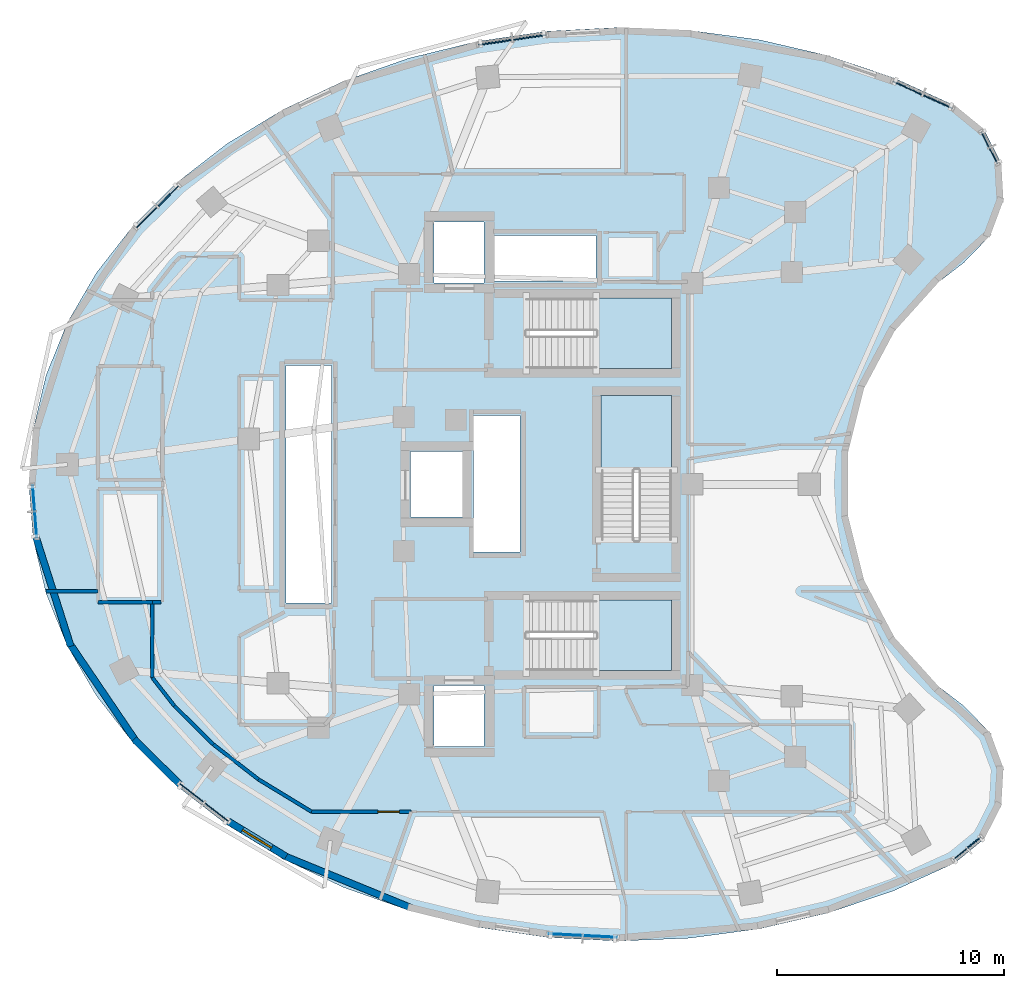
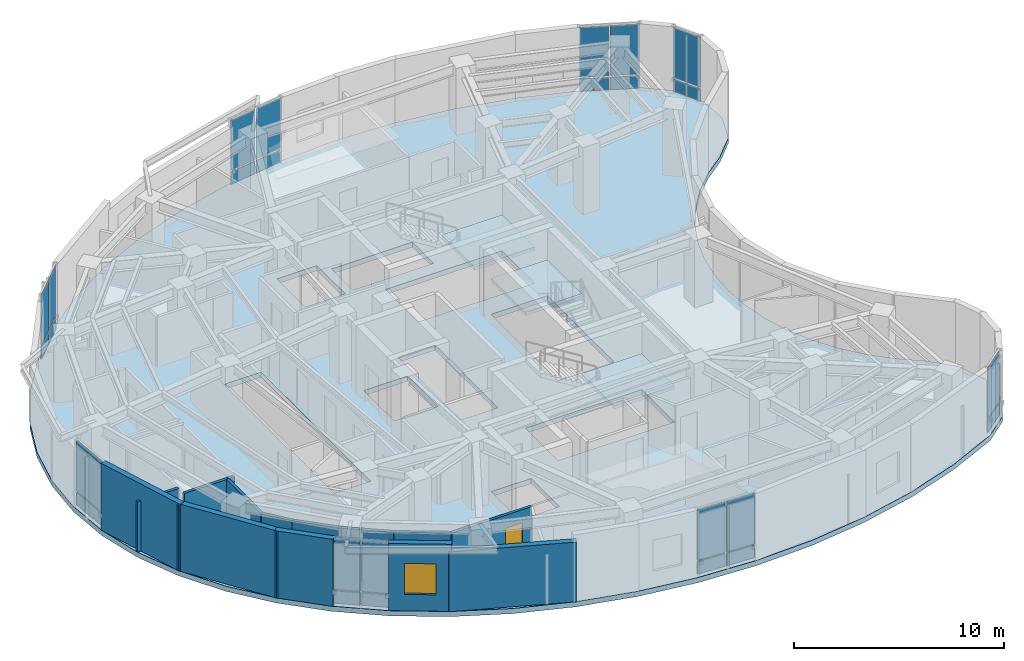
# One storey, part 6 of 13: 26 plates, 14 walls, 4 slabs, 1 door, 1 window, 2 openings, 11 elements without a shape of their own.
"""IFC4 building model written with IfcOpenShell, lengths in metres."""

from ifc_helpers import new_model, si_unit, direction, frame, frame_2d, origin, origin_2d, place, context, subcontext, project, spatial, polyline, rectangle, outline, extrude, material, layer, layer_set, type_object, element, fill, aggregate, save


model = new_model("IFC4")

# Units and contexts
model_context = context("Model", 3, precision=1e-05, world=origin(), true_north=direction((0.0, 1.0)))
body_context = subcontext(model_context, "Body", "Model", "MODEL_VIEW")
ifc_project = project(units=[si_unit("LENGTHUNIT", "METRE"), si_unit("AREAUNIT", "SQUARE_METRE"), si_unit("VOLUMEUNIT", "CUBIC_METRE"), si_unit("PLANEANGLEUNIT", "RADIAN"), si_unit("MASSUNIT", "GRAM", prefix="KILO")], contexts=[model_context])

# Site, building, storey
site_placement = place(None, origin())
site = spatial("IfcSite", under=ifc_project, at=site_placement, CompositionType="ELEMENT")
building_placement = place(site_placement, origin())
building = spatial("IfcBuilding", under=site, at=building_placement, Name="Korentha Bioscience Tower", CompositionType="ELEMENT")
storey_placement = place(building_placement, frame((0.0, 0.0, 200.39990234375)))
storey = spatial("IfcBuildingStorey", under=building, at=storey_placement, Name="L46", CompositionType="ELEMENT", Elevation=200.39990234375)

# Curtain wall, plates
ifc_material_1 = material(Name="Thermally Broken Aluminium Frame", Category="aluminium")
ifc_layer_1 = layer(ifc_material_1, 0.219970703125, Name="Thermally Broken Aluminium Frame")
ifc_layer_set_1 = layer_set([ifc_layer_1], Name="Thermally Broken Aluminium Frame (CW-T2)")
curtain_wall_type = type_object("IfcCurtainWallType", Name="Solar-Screened Lab Unitised Curtain Wall CW-T2", PredefinedType="USERDEFINED", material=ifc_layer_set_1)
curtain_wall_1_placement = place(storey_placement, origin())
curtain_wall_1 = element("IfcCurtainWall", 1, at=curtain_wall_1_placement, inside=storey, type_object=curtain_wall_type, Name="L46 Curtain Wall 01", ObjectType="UNITISED", PredefinedType="USERDEFINED")
ifc_material_2 = material(Name="Triple-Glazed Low-E Insulated Glass", Category="glass")
ifc_layer_2 = layer(ifc_material_2, 0.0439453125, Name="Triple-Glazed Low-E Insulated Glass")
ifc_layer_set_2 = layer_set([ifc_layer_2], Name="Triple-Glazed Low-E Insulated Glass (GL-44)")
plate_type = type_object("IfcPlateType", Name="Glazed Panel 44mm", PredefinedType="CURTAIN_PANEL", material=ifc_layer_set_2)
plate_1_placement = place(storey_placement, frame((48.370849609375, 43.83203125, 0.08984375), z_axis=(0.0, 0.0, 1.0), x_axis=(-0.910520215031, 0.413464554733, 0.0)))
plate_1 = element("IfcPlate", 2, at=plate_1_placement, type_object=plate_type, Name="CW-L46-01 Bay 1 Glazed Panel 1", PredefinedType="CURTAIN_PANEL", context=body_context, shape_type="SweptSolid", body=[
    extrude(rectangle(XDim=1.390380859375, YDim=0.0439453125, at=origin_2d()), origin(), (0.0, 0.0, 1.0), 0.715087890625),
])
plate_2_placement = place(storey_placement, frame((48.370849609375, 43.83203125, 0.89501953125), z_axis=(0.0, 0.0, 1.0), x_axis=(-0.910520215031, 0.413464554733, 0.0)))
plate_2 = element("IfcPlate", 3, at=plate_2_placement, type_object=plate_type, Name="CW-L46-01 Bay 1 Glazed Panel 2", PredefinedType="CURTAIN_PANEL", context=body_context, shape_type="SweptSolid", body=[
    extrude(rectangle(XDim=1.390380859375, YDim=0.0439453125, at=origin_2d()), origin(), (0.0, 0.0, 1.0), 2.9150390625),
])
plate_3_placement = place(storey_placement, frame((47.02294921875, 44.444091796875, 0.08984375), z_axis=(0.0, 0.0, 1.0), x_axis=(-0.910520215031, 0.413464554733, 0.0)))
plate_3 = element("IfcPlate", 4, at=plate_3_placement, type_object=plate_type, Name="CW-L46-01 Bay 2 Glazed Panel 1", PredefinedType="CURTAIN_PANEL", context=body_context, shape_type="SweptSolid", body=[
    extrude(rectangle(XDim=1.390380859375, YDim=0.0439453125, at=origin_2d()), origin(), (0.0, 0.0, 1.0), 0.715087890625),
])
plate_4_placement = place(storey_placement, frame((47.02294921875, 44.444091796875, 0.89501953125), z_axis=(0.0, 0.0, 1.0), x_axis=(-0.910520215031, 0.413464554733, 0.0)))
plate_4 = element("IfcPlate", 5, at=plate_4_placement, type_object=plate_type, Name="CW-L46-01 Bay 2 Glazed Panel 2", PredefinedType="CURTAIN_PANEL", context=body_context, shape_type="SweptSolid", body=[
    extrude(rectangle(XDim=1.390380859375, YDim=0.0439453125, at=origin_2d()), origin(), (0.0, 0.0, 1.0), 2.9150390625),
])
aggregate(curtain_wall_1, [plate_1, plate_2, plate_3, plate_4])

curtain_wall_2_placement = place(storey_placement, origin())
curtain_wall_2 = element("IfcCurtainWall", 6, at=curtain_wall_2_placement, inside=storey, type_object=curtain_wall_type, Name="L46 Curtain Wall 07", ObjectType="UNITISED", PredefinedType="USERDEFINED")
plate_5_placement = place(storey_placement, frame((30.4111328125, 46.671142578125, 0.08984375), z_axis=(0.0, 0.0, 1.0), x_axis=(-0.989449480287, -0.144878314317, 0.0)))
plate_5 = element("IfcPlate", 7, at=plate_5_placement, type_object=plate_type, Name="CW-L46-07 Bay 1 Glazed Panel 1", PredefinedType="CURTAIN_PANEL", context=body_context, shape_type="SweptSolid", body=[
    extrude(rectangle(XDim=1.46435546875, YDim=0.0439453125, at=origin_2d()), origin(), (0.0, 0.0, 1.0), 0.715087890625),
])
plate_6_placement = place(storey_placement, frame((30.4111328125, 46.671142578125, 0.89501953125), z_axis=(0.0, 0.0, 1.0), x_axis=(-0.989449480287, -0.144878314317, 0.0)))
plate_6 = element("IfcPlate", 8, at=plate_6_placement, type_object=plate_type, Name="CW-L46-07 Bay 1 Glazed Panel 2", PredefinedType="CURTAIN_PANEL", context=body_context, shape_type="SweptSolid", body=[
    extrude(rectangle(XDim=1.46435546875, YDim=0.0439453125, at=origin_2d()), origin(), (0.0, 0.0, 1.0), 2.9150390625),
])
plate_7_placement = place(storey_placement, frame((28.873291015625, 46.44580078125, 0.08984375), z_axis=(0.0, 0.0, 1.0), x_axis=(-0.989449480287, -0.144878314317, 0.0)))
plate_7 = element("IfcPlate", 9, at=plate_7_placement, type_object=plate_type, Name="CW-L46-07 Bay 2 Glazed Panel 1", PredefinedType="CURTAIN_PANEL", context=body_context, shape_type="SweptSolid", body=[
    extrude(rectangle(XDim=1.46435546875, YDim=0.0439453125, at=origin_2d()), origin(), (0.0, 0.0, 1.0), 0.715087890625),
])
plate_8_placement = place(storey_placement, frame((28.873291015625, 46.44580078125, 0.89501953125), z_axis=(0.0, 0.0, 1.0), x_axis=(-0.989449480287, -0.144878314317, 0.0)))
plate_8 = element("IfcPlate", 10, at=plate_8_placement, type_object=plate_type, Name="CW-L46-07 Bay 2 Glazed Panel 2", PredefinedType="CURTAIN_PANEL", context=body_context, shape_type="SweptSolid", body=[
    extrude(rectangle(XDim=1.46435546875, YDim=0.0439453125, at=origin_2d()), origin(), (0.0, 0.0, 1.0), 2.9150390625),
])
aggregate(curtain_wall_2, [plate_5, plate_6, plate_7, plate_8])

curtain_wall_3_placement = place(storey_placement, origin())
curtain_wall_3 = element("IfcCurtainWall", 11, at=curtain_wall_3_placement, inside=storey, type_object=curtain_wall_type, Name="L46 Curtain Wall 13", ObjectType="UNITISED", PredefinedType="USERDEFINED")
plate_9_placement = place(storey_placement, frame((14.4990234375, 39.687255859375, 0.08984375), z_axis=(0.0, 0.0, 1.0), x_axis=(-0.711177694756, -0.703012294688, 0.0)))
plate_9 = element("IfcPlate", 12, at=plate_9_placement, type_object=plate_type, Name="CW-L46-13 Bay 1 Glazed Panel 1", PredefinedType="CURTAIN_PANEL", context=body_context, shape_type="SweptSolid", body=[
    extrude(rectangle(XDim=1.260986328125, YDim=0.0439453125, at=origin_2d()), origin(), (0.0, 0.0, 1.0), 0.715087890625),
])
plate_10_placement = place(storey_placement, frame((14.4990234375, 39.687255859375, 0.89501953125), z_axis=(0.0, 0.0, 1.0), x_axis=(-0.711177694756, -0.703012294688, 0.0)))
plate_10 = element("IfcPlate", 13, at=plate_10_placement, type_object=plate_type, Name="CW-L46-13 Bay 1 Glazed Panel 2", PredefinedType="CURTAIN_PANEL", context=body_context, shape_type="SweptSolid", body=[
    extrude(rectangle(XDim=1.260986328125, YDim=0.0439453125, at=origin_2d()), origin(), (0.0, 0.0, 1.0), 2.9150390625),
])
plate_11_placement = place(storey_placement, frame((13.538330078125, 38.737548828125, 0.08984375), z_axis=(0.0, 0.0, 1.0), x_axis=(-0.711177694756, -0.703012294688, 0.0)))
plate_11 = element("IfcPlate", 14, at=plate_11_placement, type_object=plate_type, Name="CW-L46-13 Bay 2 Glazed Panel 1", PredefinedType="CURTAIN_PANEL", context=body_context, shape_type="SweptSolid", body=[
    extrude(rectangle(XDim=1.260986328125, YDim=0.0439453125, at=origin_2d()), origin(), (0.0, 0.0, 1.0), 0.715087890625),
])
plate_12_placement = place(storey_placement, frame((13.538330078125, 38.737548828125, 0.89501953125), z_axis=(0.0, 0.0, 1.0), x_axis=(-0.711177694756, -0.703012294688, 0.0)))
plate_12 = element("IfcPlate", 15, at=plate_12_placement, type_object=plate_type, Name="CW-L46-13 Bay 2 Glazed Panel 2", PredefinedType="CURTAIN_PANEL", context=body_context, shape_type="SweptSolid", body=[
    extrude(rectangle(XDim=1.260986328125, YDim=0.0439453125, at=origin_2d()), origin(), (0.0, 0.0, 1.0), 2.9150390625),
])
aggregate(curtain_wall_3, [plate_9, plate_10, plate_11, plate_12])

curtain_wall_4_placement = place(storey_placement, origin())
curtain_wall_4 = element("IfcCurtainWall", 16, at=curtain_wall_4_placement, inside=storey, type_object=curtain_wall_type, Name="L46 Curtain Wall 19", ObjectType="UNITISED", PredefinedType="USERDEFINED")
plate_13_placement = place(storey_placement, frame((8.61279296875, 25.806640625, 0.08984375), z_axis=(0.0, 0.0, 1.0), x_axis=(0.077987717013, -0.996954319914, 0.0)))
plate_13 = element("IfcPlate", 17, at=plate_13_placement, type_object=plate_type, Name="CW-L46-19 Bay 1 Glazed Panel 1", PredefinedType="CURTAIN_PANEL", context=body_context, shape_type="SweptSolid", body=[
    extrude(rectangle(XDim=2.319091796875, YDim=0.0439453125, at=origin_2d()), origin(), (0.0, 0.0, 1.0), 0.715087890625),
])
plate_14_placement = place(storey_placement, frame((8.61279296875, 25.806640625, 0.89501953125), z_axis=(0.0, 0.0, 1.0), x_axis=(0.077987717013, -0.996954319914, 0.0)))
plate_14 = element("IfcPlate", 18, at=plate_14_placement, type_object=plate_type, Name="CW-L46-19 Bay 1 Glazed Panel 2", PredefinedType="CURTAIN_PANEL", context=body_context, shape_type="SweptSolid", body=[
    extrude(rectangle(XDim=2.319091796875, YDim=0.0439453125, at=origin_2d()), origin(), (0.0, 0.0, 1.0), 2.9150390625),
])
aggregate(curtain_wall_4, [plate_13, plate_14])

curtain_wall_5_placement = place(storey_placement, origin())
curtain_wall_5 = element("IfcCurtainWall", 19, at=curtain_wall_5_placement, inside=storey, type_object=curtain_wall_type, Name="L46 Curtain Wall 25", ObjectType="UNITISED", PredefinedType="USERDEFINED")
plate_15_placement = place(storey_placement, frame((15.523681640625, 13.41650390625, 0.08984375), z_axis=(0.0, 0.0, 1.0), x_axis=(0.790346099854, -0.612660625833, 0.0)))
plate_15 = element("IfcPlate", 20, at=plate_15_placement, type_object=plate_type, Name="CW-L46-25 Bay 1 Glazed Panel 1", PredefinedType="CURTAIN_PANEL", context=body_context, shape_type="SweptSolid", body=[
    extrude(rectangle(XDim=1.3046875, YDim=0.0439453125, at=origin_2d()), origin(), (0.0, 0.0, 1.0), 0.715087890625),
])
plate_16_placement = place(storey_placement, frame((15.523681640625, 13.41650390625, 0.89501953125), z_axis=(0.0, 0.0, 1.0), x_axis=(0.790346099854, -0.612660625833, 0.0)))
plate_16 = element("IfcPlate", 21, at=plate_16_placement, type_object=plate_type, Name="CW-L46-25 Bay 1 Glazed Panel 2", PredefinedType="CURTAIN_PANEL", context=body_context, shape_type="SweptSolid", body=[
    extrude(rectangle(XDim=1.3046875, YDim=0.0439453125, at=origin_2d()), origin(), (0.0, 0.0, 1.0), 2.9150390625),
])
plate_17_placement = place(storey_placement, frame((16.6259765625, 12.562255859375, 0.08984375), z_axis=(0.0, 0.0, 1.0), x_axis=(0.790346099854, -0.612660625833, 0.0)))
plate_17 = element("IfcPlate", 22, at=plate_17_placement, type_object=plate_type, Name="CW-L46-25 Bay 2 Glazed Panel 1", PredefinedType="CURTAIN_PANEL", context=body_context, shape_type="SweptSolid", body=[
    extrude(rectangle(XDim=1.3046875, YDim=0.0439453125, at=origin_2d()), origin(), (0.0, 0.0, 1.0), 0.715087890625),
])
plate_18_placement = place(storey_placement, frame((16.6259765625, 12.562255859375, 0.89501953125), z_axis=(0.0, 0.0, 1.0), x_axis=(0.790346099854, -0.612660625833, 0.0)))
plate_18 = element("IfcPlate", 23, at=plate_18_placement, type_object=plate_type, Name="CW-L46-25 Bay 2 Glazed Panel 2", PredefinedType="CURTAIN_PANEL", context=body_context, shape_type="SweptSolid", body=[
    extrude(rectangle(XDim=1.3046875, YDim=0.0439453125, at=origin_2d()), origin(), (0.0, 0.0, 1.0), 2.9150390625),
])
aggregate(curtain_wall_5, [plate_15, plate_16, plate_17, plate_18])

curtain_wall_6_placement = place(storey_placement, origin())
curtain_wall_6 = element("IfcCurtainWall", 24, at=curtain_wall_6_placement, inside=storey, type_object=curtain_wall_type, Name="L46 Curtain Wall 31", ObjectType="UNITISED", PredefinedType="USERDEFINED")
plate_19_placement = place(storey_placement, frame((31.956298828125, 7.176025390625, 0.08984375), z_axis=(0.0, 0.0, 1.0), x_axis=(0.998634603964, -0.052239140168, 0.0)))
plate_19 = element("IfcPlate", 25, at=plate_19_placement, type_object=plate_type, Name="CW-L46-31 Bay 1 Glazed Panel 1", PredefinedType="CURTAIN_PANEL", context=body_context, shape_type="SweptSolid", body=[
    extrude(rectangle(XDim=1.473876953125, YDim=0.0439453125, at=origin_2d()), origin(), (0.0, 0.0, 1.0), 0.715087890625),
])
plate_20_placement = place(storey_placement, frame((31.956298828125, 7.176025390625, 0.89501953125), z_axis=(0.0, 0.0, 1.0), x_axis=(0.998634603964, -0.052239140168, 0.0)))
plate_20 = element("IfcPlate", 26, at=plate_20_placement, type_object=plate_type, Name="CW-L46-31 Bay 1 Glazed Panel 2", PredefinedType="CURTAIN_PANEL", context=body_context, shape_type="SweptSolid", body=[
    extrude(rectangle(XDim=1.473876953125, YDim=0.0439453125, at=origin_2d()), origin(), (0.0, 0.0, 1.0), 2.9150390625),
])
plate_21_placement = place(storey_placement, frame((33.51806640625, 7.09423828125, 0.08984375), z_axis=(0.0, 0.0, 1.0), x_axis=(0.998634603964, -0.052239140168, 0.0)))
plate_21 = element("IfcPlate", 27, at=plate_21_placement, type_object=plate_type, Name="CW-L46-31 Bay 2 Glazed Panel 1", PredefinedType="CURTAIN_PANEL", context=body_context, shape_type="SweptSolid", body=[
    extrude(rectangle(XDim=1.473876953125, YDim=0.0439453125, at=origin_2d()), origin(), (0.0, 0.0, 1.0), 0.715087890625),
])
plate_22_placement = place(storey_placement, frame((33.51806640625, 7.09423828125, 0.89501953125), z_axis=(0.0, 0.0, 1.0), x_axis=(0.998634603964, -0.052239140168, 0.0)))
plate_22 = element("IfcPlate", 28, at=plate_22_placement, type_object=plate_type, Name="CW-L46-31 Bay 2 Glazed Panel 2", PredefinedType="CURTAIN_PANEL", context=body_context, shape_type="SweptSolid", body=[
    extrude(rectangle(XDim=1.473876953125, YDim=0.0439453125, at=origin_2d()), origin(), (0.0, 0.0, 1.0), 2.9150390625),
])
aggregate(curtain_wall_6, [plate_19, plate_20, plate_21, plate_22])

curtain_wall_7_placement = place(storey_placement, origin())
curtain_wall_7 = element("IfcCurtainWall", 29, at=curtain_wall_7_placement, inside=storey, type_object=curtain_wall_type, Name="L46 Curtain Wall 37", ObjectType="UNITISED", PredefinedType="USERDEFINED")
plate_23_placement = place(storey_placement, frame((49.65478515625, 10.978271484375, 0.08984375), z_axis=(0.0, 0.0, 1.0), x_axis=(0.774088224596, 0.633077736571, 0.0)))
plate_23 = element("IfcPlate", 30, at=plate_23_placement, type_object=plate_type, Name="CW-L46-37 Bay 1 Glazed Panel 1", PredefinedType="CURTAIN_PANEL", context=body_context, shape_type="SweptSolid", body=[
    extrude(rectangle(XDim=1.555419921875, YDim=0.0439453125, at=origin_2d()), origin(), (0.0, 0.0, 1.0), 0.715087890625),
])
plate_24_placement = place(storey_placement, frame((49.65478515625, 10.978271484375, 0.89501953125), z_axis=(0.0, 0.0, 1.0), x_axis=(0.774088224596, 0.633077736571, 0.0)))
plate_24 = element("IfcPlate", 31, at=plate_24_placement, type_object=plate_type, Name="CW-L46-37 Bay 1 Glazed Panel 2", PredefinedType="CURTAIN_PANEL", context=body_context, shape_type="SweptSolid", body=[
    extrude(rectangle(XDim=1.555419921875, YDim=0.0439453125, at=origin_2d()), origin(), (0.0, 0.0, 1.0), 2.9150390625),
])
aggregate(curtain_wall_7, [plate_23, plate_24])

curtain_wall_8_placement = place(storey_placement, origin())
curtain_wall_8 = element("IfcCurtainWall", 32, at=curtain_wall_8_placement, inside=storey, type_object=curtain_wall_type, Name="L46 Curtain Wall 61", ObjectType="UNITISED", PredefinedType="USERDEFINED")
plate_25_placement = place(storey_placement, frame((50.6298828125, 41.8115234375, 0.08984375), z_axis=(0.0, 0.0, 1.0), x_axis=(-0.454115695623, 0.89094272262, 0.0)))
plate_25 = element("IfcPlate", 33, at=plate_25_placement, type_object=plate_type, Name="CW-L46-61 Bay 1 Glazed Panel 1", PredefinedType="CURTAIN_PANEL", context=body_context, shape_type="SweptSolid", body=[
    extrude(rectangle(XDim=1.55517578125, YDim=0.0439453125, at=origin_2d()), origin(), (0.0, 0.0, 1.0), 0.715087890625),
])
plate_26_placement = place(storey_placement, frame((50.6298828125, 41.8115234375, 0.89501953125), z_axis=(0.0, 0.0, 1.0), x_axis=(-0.454115695623, 0.89094272262, 0.0)))
plate_26 = element("IfcPlate", 34, at=plate_26_placement, type_object=plate_type, Name="CW-L46-61 Bay 1 Glazed Panel 2", PredefinedType="CURTAIN_PANEL", context=body_context, shape_type="SweptSolid", body=[
    extrude(rectangle(XDim=1.55517578125, YDim=0.0439453125, at=origin_2d()), origin(), (0.0, 0.0, 1.0), 2.9150390625),
])
aggregate(curtain_wall_8, [plate_25, plate_26])

# Slab
ifc_material_3 = material(Name="Concrete C50", Category="concrete")
ifc_layer_3 = layer(ifc_material_3, 0.300048828125, Name="Concrete C50")
ifc_layer_set_3 = layer_set([ifc_layer_3], Name="Concrete C50 (SL-L300)")
slab_type_1 = type_object("IfcSlabType", Name="Laboratory Vibration-Controlled Slab 300", PredefinedType="FLOOR", material=ifc_layer_set_3)
slab_1_placement = place(storey_placement, frame((0.0, 0.0, -0.2998046875)))
element("IfcSlab", 35, at=slab_1_placement, inside=storey, type_object=slab_type_1, Name="L46 Tower Structural Floor Slab", PredefinedType="FLOOR", context=body_context, shape_type="SweptSolid", body=[
    extrude(outline(polyline([(49.115478515625, 43.669677734375), (46.41064453125, 44.89794921875), (43.533935546875, 45.867919921875), (40.526611328125, 46.565185546875), (37.432373046875, 46.97998046875), (34.295654296875, 47.106689453125), (31.161865234375, 46.942626953125), (28.076416015625, 46.490966796875), (25.08349609375, 45.7578125), (22.2265625, 44.753662109375), (19.546875, 43.4931640625), (17.0830078125, 41.99462890625), (14.87060546875, 40.279541015625), (12.941650390625, 38.372802734375), (11.323974609375, 36.3017578125), (10.041015625, 34.096435546875), (9.11083984375, 31.788818359375), (8.547607421875, 29.41162109375), (8.35888671875, 27.0), (8.547607421875, 24.58837890625), (9.11083984375, 22.211181640625), (10.041015625, 19.903564453125), (11.323974609375, 17.6982421875), (12.941650390625, 15.627197265625), (14.87060546875, 13.720458984375), (17.0830078125, 12.00537109375), (19.546875, 10.5068359375), (22.2265625, 9.246337890625), (25.08349609375, 8.2421875), (28.076416015625, 7.509033203125), (31.161865234375, 7.057373046875), (34.295654296875, 6.893310546875), (37.432373046875, 7.02001953125), (40.526611328125, 7.434814453125), (43.533935546875, 8.132080078125), (46.41064453125, 9.10205078125), (49.115478515625, 10.330322265625), (50.396728515625, 11.37841796875), (51.1484375, 12.853271484375), (51.243408203125, 14.505615234375), (50.66552734375, 16.056884765625), (49.5126953125, 17.244873046875), (48.373046875, 18.119384765625), (47.348388671875, 19.12646484375), (46.453857421875, 20.250732421875), (45.703125, 21.475830078125), (45.107421875, 22.783203125), (44.67529296875, 24.1533203125), (44.41357421875, 25.56591796875), (44.325927734375, 27.0), (44.41357421875, 28.43408203125), (44.67529296875, 29.8466796875), (45.107421875, 31.216796875), (45.703125, 32.524169921875), (46.453857421875, 33.749267578125), (47.348388671875, 34.87353515625), (48.373046875, 35.880615234375), (49.5126953125, 36.755126953125), (50.66552734375, 37.943115234375), (51.243408203125, 39.494384765625), (51.1484375, 41.146728515625), (50.396728515625, 42.62158203125), (49.115478515625, 43.669677734375)]), holes=[polyline([(30.25, 32.10009765625), (36.64990234375, 32.10009765625), (36.64990234375, 35.199951171875), (30.25, 35.199951171875), (30.25, 32.10009765625)]), polyline([(30.25, 18.800048828125), (36.64990234375, 18.800048828125), (36.64990234375, 21.89990234375), (30.25, 21.89990234375), (30.25, 18.800048828125)]), polyline([(36.64990234375, 24.550048828125), (36.64990234375, 30.89990234375), (33.550048828125, 30.89990234375), (33.550048828125, 24.550048828125), (36.64990234375, 24.550048828125)]), polyline([(19.679931640625, 21.780029296875), (21.669921875, 21.780029296875), (21.669921875, 32.219970703125), (19.679931640625, 32.219970703125), (19.679931640625, 21.780029296875)]), polyline([(27.929931640625, 24.030029296875), (29.969970703125, 24.030029296875), (29.969970703125, 30.02001953125), (27.929931640625, 30.02001953125), (27.929931640625, 24.030029296875)]), polyline([(28.860107421875, 35.93994140625), (33.31005859375, 35.93994140625), (33.31005859375, 37.9599609375), (28.860107421875, 37.9599609375), (28.860107421875, 35.93994140625)]), polyline([(26.199951171875, 15.449951171875), (28.39990234375, 15.449951171875), (28.39990234375, 18.14990234375), (26.199951171875, 18.14990234375), (26.199951171875, 15.449951171875)]), polyline([(26.199951171875, 35.85009765625), (28.39990234375, 35.85009765625), (28.39990234375, 38.550048828125), (26.199951171875, 38.550048828125), (26.199951171875, 35.85009765625)]), polyline([(25.14990234375, 25.550048828125), (27.550048828125, 25.550048828125), (27.550048828125, 28.449951171875), (25.14990234375, 28.449951171875), (25.14990234375, 25.550048828125)])]), origin(), (0.0, 0.0, 1.0), 0.2998046875),
])

# Stair, slab
ifc_material_4 = material(Name="Precast Concrete C50", Category="concrete")
stair_type = type_object("IfcStairType", Name="Core Exit Dog-Leg Stair 1450", PredefinedType="HALF_TURN_STAIR", material=ifc_material_4)
stair_1_placement = place(storey_placement, origin())
stair_1 = element("IfcStair", 36, at=stair_1_placement, inside=storey, type_object=stair_type, Name="L46 Tower North Pressurized Exit Stair ST-1", PredefinedType="HALF_TURN_STAIR")
ifc_layer_4 = layer(ifc_material_3, 0.199951171875, Name="Concrete C50")
ifc_layer_set_4 = layer_set([ifc_layer_4], Name="Concrete C50 (SL-LND)")
slab_type_2 = type_object("IfcSlabType", Name="Landing Slab 200", PredefinedType="LANDING", material=ifc_layer_set_4)
slab_2_placement = place(storey_placement, frame((0.0, 0.0, 1.900146484375)))
slab_2 = element("IfcSlab", 37, at=slab_2_placement, type_object=slab_type_2, Name="ST-1 landing 1", PredefinedType="LANDING", context=body_context, shape_type="SweptSolid", body=[
    extrude(outline(polyline([(33.330078125, 32.10009765625), (36.64990234375, 32.10009765625), (36.64990234375, 35.199951171875), (33.330078125, 35.199951171875), (33.330078125, 32.10009765625)])), origin(), (0.0, 0.0, 1.0), 0.199951171875),
])
aggregate(stair_1, [slab_2])

stair_2_placement = place(storey_placement, origin())
stair_2 = element("IfcStair", 38, at=stair_2_placement, inside=storey, type_object=stair_type, Name="L46 Tower South Pressurized Exit Stair ST-2", PredefinedType="HALF_TURN_STAIR")
slab_3_placement = place(storey_placement, frame((0.0, 0.0, 1.900146484375)))
slab_3 = element("IfcSlab", 39, at=slab_3_placement, type_object=slab_type_2, Name="ST-2 landing 1", PredefinedType="LANDING", context=body_context, shape_type="SweptSolid", body=[
    extrude(outline(polyline([(33.330078125, 18.800048828125), (36.64990234375, 18.800048828125), (36.64990234375, 21.89990234375), (33.330078125, 21.89990234375), (33.330078125, 18.800048828125)])), origin(), (0.0, 0.0, 1.0), 0.199951171875),
])
aggregate(stair_2, [slab_3])

stair_3_placement = place(storey_placement, origin())
stair_3 = element("IfcStair", 40, at=stair_3_placement, inside=storey, type_object=stair_type, Name="L46 Tower Central Pressurized Exit Stair ST-3", PredefinedType="HALF_TURN_STAIR")
slab_4_placement = place(storey_placement, frame((0.0, 0.0, 1.900146484375)))
slab_4 = element("IfcSlab", 41, at=slab_4_placement, type_object=slab_type_2, Name="ST-3 landing 1", PredefinedType="LANDING", context=body_context, shape_type="SweptSolid", body=[
    extrude(outline(polyline([(36.64990234375, 27.6298828125), (36.64990234375, 30.89990234375), (33.550048828125, 30.89990234375), (33.550048828125, 27.6298828125), (36.64990234375, 27.6298828125)])), origin(), (0.0, 0.0, 1.0), 0.199951171875),
])
aggregate(stair_3, [slab_4])

# Wall, opening, door
ifc_material_5 = material(Name="Double-Stud Acoustic Gypsum", Category="gypsum")
ifc_layer_5 = layer(ifc_material_5, 0.14990234375, Name="Double-Stud Acoustic Gypsum")
ifc_layer_set_5 = layer_set([ifc_layer_5], Name="Double-Stud Acoustic Gypsum (IW-L150)")
wall_type_1 = type_object("IfcWallType", Name="Acoustic Laboratory Partition Wall 150", PredefinedType="PARTITIONING", material=ifc_layer_set_5)
wall_1_placement = place(storey_placement, frame((20.80078125, 12.590087890625, 0.0), z_axis=(0.0, 0.0, 1.0), x_axis=(1.0, 0.0, 0.0)))
wall_1 = element("IfcWall", 42, at=wall_1_placement, inside=storey, type_object=wall_type_1, Name="L46 Biomechanical Motion Analysis Lab 02 Entrance Wall", PredefinedType="PARTITIONING", context=body_context, shape_type="SweptSolid", body=[
    extrude(rectangle(XDim=4.386474609375, YDim=0.14990234375, at=frame_2d((2.193359375, 0.0))), origin(), (0.0, 0.0, 1.0), 2.91015625),
])
opening_1_placement = place(wall_1_placement, frame((2.919921875, 0.0, 0.0)))
opening_1 = element("IfcOpeningElement", 43, at=opening_1_placement, cuts=wall_1, Name="Opening ID-10R", PredefinedType="OPENING", context=body_context, shape_type="SweptSolid", body=[
    extrude(rectangle(XDim=0.949951171875, YDim=2.14990234375, at=frame_2d((0.47509765625, 1.074951171875))), frame((0.0, 0.08984375, 0.0), z_axis=(0.0, -1.0, 0.0), x_axis=(1.0, 0.0, 0.0)), (0.0, 0.0, 1.0), 0.1796875),
])
ifc_material_6 = material(Name="Phenolic Laminate Timber Core", Category="wood")
door_type = type_object("IfcDoorType", Name="Laboratory Single Leaf Door 950x2150 Right", OperationType="SINGLE_SWING_RIGHT", PredefinedType="DOOR", material=ifc_material_6)
door_placement = place(opening_1_placement, origin())
door = element("IfcDoor", 44, at=door_placement, inside=storey, type_object=door_type, Name="L46 Biomechanical Motion Analysis Lab 02 Door", OperationType="SINGLE_SWING_RIGHT", OverallHeight=2.14990234375, OverallWidth=0.949951171875, PredefinedType="DOOR", context=body_context, shape_type="SweptSolid", body=[
    extrude(rectangle(XDim=0.949951171875, YDim=2.14990234375, at=frame_2d((0.47509765625, 1.074951171875))), frame((0.0, 0.02490234375, 0.0), z_axis=(0.0, -1.0, 0.0), x_axis=(1.0, 0.0, 0.0)), (0.0, 0.0, 1.0), 0.050048828125),
])
fill(opening_1, door)

# Walls
wall_2_placement = place(storey_placement, frame((14.162109375, 21.81005859375, 0.0), z_axis=(0.0, 0.0, 1.0), x_axis=(-1.0, 0.0, 0.0)))
element("IfcWall", 45, at=wall_2_placement, inside=storey, type_object=wall_type_1, Name="L46 Interior Partition 025", PredefinedType="PARTITIONING", context=body_context, shape_type="SweptSolid", body=[
    extrude(rectangle(XDim=0.362060546875, YDim=0.14990234375, at=frame_2d((0.18115234375, 0.0))), origin(), (0.0, 0.0, 1.0), 2.91015625),
])
wall_3_placement = place(storey_placement, frame((13.7900390625, 21.800048828125, 0.0), z_axis=(0.0, 0.0, 1.0), x_axis=(-1.0, 0.0, 0.0)))
element("IfcWall", 46, at=wall_3_placement, inside=storey, type_object=wall_type_1, Name="L46 Interior Partition 026", PredefinedType="PARTITIONING", context=body_context, shape_type="SweptSolid", body=[
    extrude(rectangle(XDim=2.39013671875, YDim=0.14990234375, at=frame_2d((1.195068359375, 0.0))), origin(), (0.0, 0.0, 1.0), 2.91015625),
])
wall_4_placement = place(storey_placement, frame((9.11865234375, 22.298095703125, 0.0), z_axis=(0.0, 0.0, 1.0), x_axis=(1.0, 0.0, 0.0)))
element("IfcWall", 47, at=wall_4_placement, inside=storey, type_object=wall_type_1, Name="L46 Interior Partition 037", PredefinedType="PARTITIONING", context=body_context, shape_type="SweptSolid", body=[
    extrude(rectangle(XDim=2.271240234375, YDim=0.14990234375, at=frame_2d((1.1357421875, 0.0))), origin(), (0.0, 0.0, 1.0), 2.91015625),
])
wall_5_placement = place(storey_placement, frame((13.7900390625, 21.7900390625, 0.0), z_axis=(0.0, 0.0, 1.0), x_axis=(0.0, -1.0, 0.0)))
element("IfcWall", 48, at=wall_5_placement, inside=storey, type_object=wall_type_1, Name="L46 Interior Partition 038", PredefinedType="PARTITIONING", context=body_context, shape_type="SweptSolid", body=[
    extrude(rectangle(XDim=3.2978515625, YDim=0.14990234375, at=frame_2d((1.64892578125, 0.0))), origin(), (0.0, 0.0, 1.0), 2.91015625),
])
wall_6_placement = place(storey_placement, frame((13.7919921875, 18.486083984375, 0.0), z_axis=(0.0, 0.0, 1.0), x_axis=(0.615625972761, -0.788038489962, 0.0)))
element("IfcWall", 49, at=wall_6_placement, inside=storey, type_object=wall_type_1, Name="L46 Interior Partition 039", PredefinedType="PARTITIONING", context=body_context, shape_type="SweptSolid", body=[
    extrude(rectangle(XDim=1.5732421875, YDim=0.14990234375, at=frame_2d((0.78662109375, 0.0))), origin(), (0.0, 0.0, 1.0), 2.91015625),
])
wall_7_placement = place(storey_placement, frame((14.76123046875, 17.245361328125, 0.0), z_axis=(0.0, 0.0, 1.0), x_axis=(0.711199111112, -0.702990628923, 0.0)))
element("IfcWall", 50, at=wall_7_placement, inside=storey, type_object=wall_type_1, Name="L46 Interior Partition 040", PredefinedType="PARTITIONING", context=body_context, shape_type="SweptSolid", body=[
    extrude(rectangle(XDim=2.4091796875, YDim=0.14990234375, at=frame_2d((1.20458984375, 0.0))), origin(), (0.0, 0.0, 1.0), 2.91015625),
])
wall_8_placement = place(storey_placement, frame((16.4755859375, 15.551025390625, 0.0), z_axis=(0.0, 0.0, 1.0), x_axis=(0.790344529681, -0.612662651386, 0.0)))
element("IfcWall", 51, at=wall_8_placement, inside=storey, type_object=wall_type_1, Name="L46 Interior Partition 041", PredefinedType="PARTITIONING", context=body_context, shape_type="SweptSolid", body=[
    extrude(rectangle(XDim=2.514404296875, YDim=0.14990234375, at=frame_2d((1.25732421875, 0.0))), origin(), (0.0, 0.0, 1.0), 2.91015625),
])
wall_9_placement = place(storey_placement, frame((18.4638671875, 14.009765625, 0.0), z_axis=(0.0, 0.0, 1.0), x_axis=(0.854383333884, -0.519643261076, 0.0)))
element("IfcWall", 52, at=wall_9_placement, inside=storey, type_object=wall_type_1, Name="L46 Interior Partition 042", PredefinedType="PARTITIONING", context=body_context, shape_type="SweptSolid", body=[
    extrude(rectangle(XDim=2.729248046875, YDim=0.14990234375, at=frame_2d((1.36474609375, 0.0))), origin(), (0.0, 0.0, 1.0), 2.91015625),
])

# Wall, opening, window
ifc_material_7 = material(Name="Honed Limestone Precast Concrete C40", Category="masonry")
ifc_layer_6 = layer(ifc_material_7, 0.300048828125, Name="Honed Limestone Precast Concrete C40")
ifc_layer_set_6 = layer_set([ifc_layer_6], Name="Honed Limestone Precast Concrete C40 (EW-ST300)")
wall_type_2 = type_object("IfcWallType", Name="Honed Limestone Cavity Spandrel Wall 300", PredefinedType="STANDARD", material=ifc_layer_set_6)
wall_10_placement = place(storey_placement, frame((17.114990234375, 12.17333984375, 0.0), z_axis=(0.0, 0.0, 1.0), x_axis=(0.854364873812, -0.519673611411, 0.0)))
wall_10 = element("IfcWall", 53, at=wall_10_placement, inside=storey, type_object=wall_type_2, Name="L46 Honed Limestone Spandrel Wall 26", PredefinedType="STANDARD", context=body_context, shape_type="SweptSolid", body=[
    extrude(rectangle(XDim=3.00390625, YDim=0.300048828125, at=frame_2d((1.501953125, 0.0))), origin(), (0.0, 0.0, 1.0), 3.900146484375),
])
opening_2_placement = place(wall_10_placement, frame((0.751953125, 0.0, 0.949951171875)))
opening_2 = element("IfcOpeningElement", 54, at=opening_2_placement, cuts=wall_10, Name="Opening WN-02", PredefinedType="OPENING", context=body_context, shape_type="SweptSolid", body=[
    extrude(rectangle(XDim=1.5, YDim=1.800048828125, at=frame_2d((0.75, 0.89990234375))), frame((0.0, 0.1650390625, 0.0), z_axis=(0.0, -1.0, 0.0), x_axis=(1.0, 0.0, 0.0)), (0.0, 0.0, 1.0), 0.329833984375),
])
ifc_material_8 = material(Name="Thermally Broken Aluminium Triple Glazing", Category="aluminium")
window_type = type_object("IfcWindowType", Name="Acoustic Operable Office Window 1500x1800", PartitioningType="DOUBLE_PANEL_VERTICAL", PredefinedType="WINDOW", material=ifc_material_8)
window_placement = place(opening_2_placement, origin())
window = element("IfcWindow", 55, at=window_placement, inside=storey, type_object=window_type, Name="L46 Facade Window 26", OverallHeight=1.800048828125, OverallWidth=1.5, PartitioningType="DOUBLE_PANEL_VERTICAL", PredefinedType="WINDOW", context=body_context, shape_type="SweptSolid", body=[
    extrude(rectangle(XDim=1.5, YDim=1.800048828125, at=frame_2d((0.75, 0.89990234375))), frame((0.0, 0.030029296875, 0.0), z_axis=(0.0, -1.0, 0.0), x_axis=(1.0, 0.0, 0.0)), (0.0, 0.0, 1.0), 0.06005859375),
])
fill(opening_2, window)

# Walls
wall_11_placement = place(storey_placement, frame((8.656494140625, 24.70703125, 0.0), z_axis=(0.0, 0.0, 1.0), x_axis=(0.30372166002, -0.952760805887, 0.0)))
element("IfcWall", 56, at=wall_11_placement, inside=storey, type_object=wall_type_2, Name="L46 Limestone Perimeter Closure Wall 20", PredefinedType="STANDARD", context=body_context, shape_type="SweptSolid", body=[
    extrude(rectangle(XDim=5.076904296875, YDim=0.300048828125, at=frame_2d((2.53857421875, 0.0))), origin(), (0.0, 0.0, 1.0), 3.900146484375),
])
wall_12_placement = place(storey_placement, frame((10.11181640625, 20.04833984375, 0.0), z_axis=(0.0, 0.0, 1.0), x_axis=(0.561387104339, -0.827553333074, 0.0)))
element("IfcWall", 57, at=wall_12_placement, inside=storey, type_object=wall_type_2, Name="L46 Limestone Perimeter Closure Wall 22", PredefinedType="STANDARD", context=body_context, shape_type="SweptSolid", body=[
    extrude(rectangle(XDim=5.327392578125, YDim=0.300048828125, at=frame_2d((2.66357421875, 0.0))), origin(), (0.0, 0.0, 1.0), 3.900146484375),
])
wall_13_placement = place(storey_placement, frame((12.983154296875, 15.782958984375, 0.0), z_axis=(0.0, 0.0, 1.0), x_axis=(0.711174895637, -0.703015126307, 0.0)))
element("IfcWall", 58, at=wall_13_placement, inside=storey, type_object=wall_type_2, Name="L46 Limestone Perimeter Closure Wall 24", PredefinedType="STANDARD", context=body_context, shape_type="SweptSolid", body=[
    extrude(rectangle(XDim=2.872314453125, YDim=0.300048828125, at=frame_2d((1.43603515625, 0.0))), origin(), (0.0, 0.0, 1.0), 3.900146484375),
])
wall_14_placement = place(storey_placement, frame((19.52587890625, 10.666748046875, 0.0), z_axis=(0.0, 0.0, 1.0), x_axis=(0.925564684887, -0.37858950605, 0.0)))
element("IfcWall", 59, at=wall_14_placement, inside=storey, type_object=wall_type_2, Name="L46 Limestone Perimeter Closure Wall 27", PredefinedType="STANDARD", context=body_context, shape_type="SweptSolid", body=[
    extrude(rectangle(XDim=6.141845703125, YDim=0.300048828125, at=frame_2d((3.07080078125, 0.0))), origin(), (0.0, 0.0, 1.0), 3.47021484375),
])

save(model, "model.ifc")
